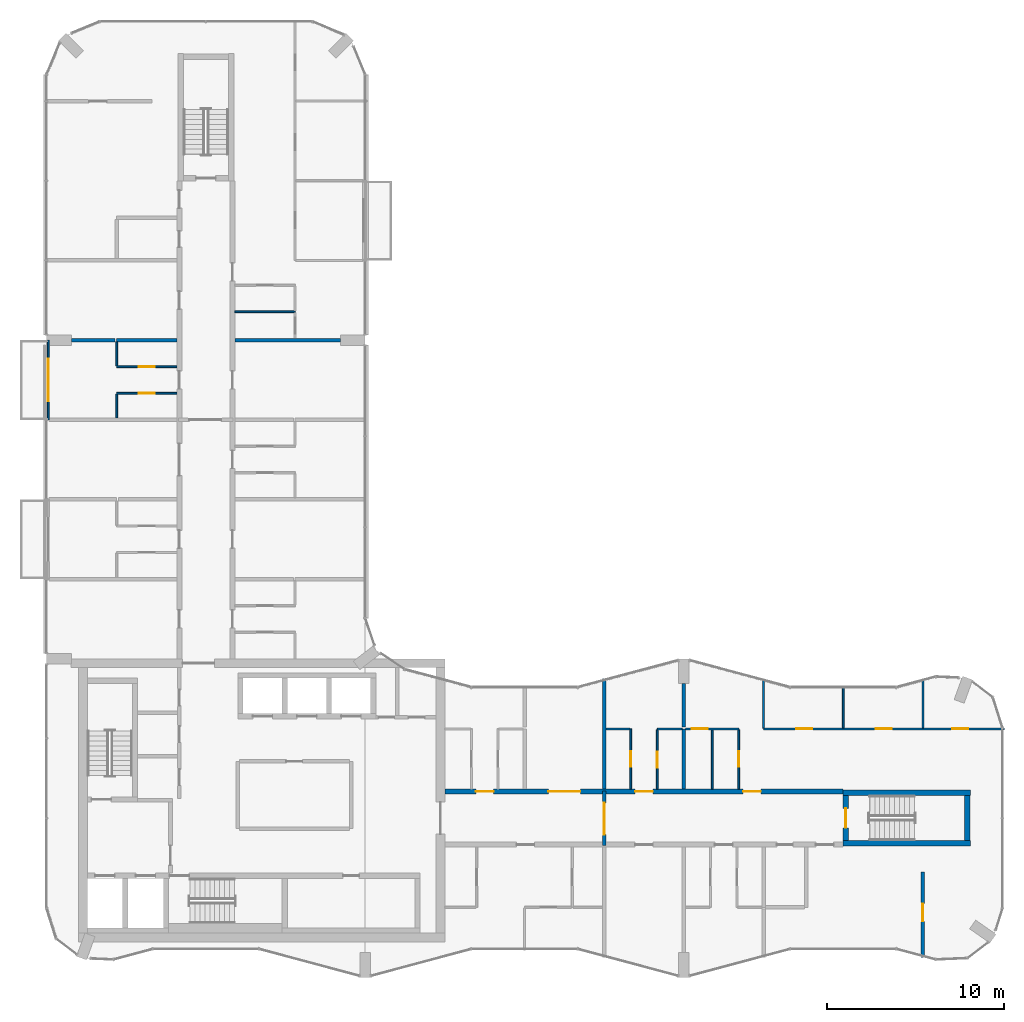
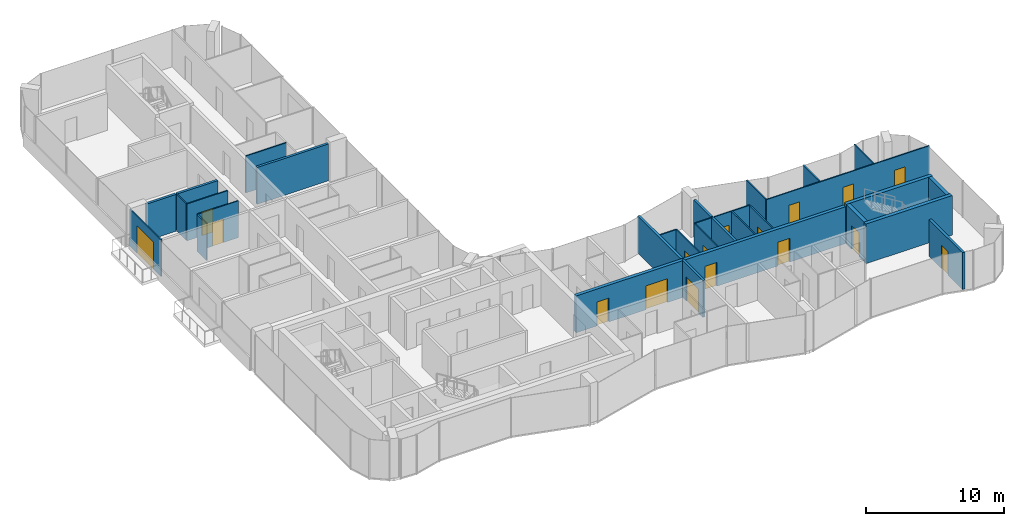
# One storey, part 12 of 16: 30 walls, 17 doors, 17 openings.
"""IFC4 building model written with IfcOpenShell, lengths in metres."""

from ifc_helpers import new_model, si_unit, direction, frame, frame_2d, origin, place, context, subcontext, project, spatial, rectangle, extrude, material, layer, layer_set, type_object, element, fill, save


model = new_model("IFC4")

# Units and contexts
model_context = context("Model", 3, precision=1e-05, world=origin(), true_north=direction((0.0, 1.0)))
body_context = subcontext(model_context, "Body", "Model", "MODEL_VIEW")
ifc_project = project(units=[si_unit("LENGTHUNIT", "METRE"), si_unit("AREAUNIT", "SQUARE_METRE"), si_unit("VOLUMEUNIT", "CUBIC_METRE"), si_unit("PLANEANGLEUNIT", "RADIAN"), si_unit("MASSUNIT", "GRAM", prefix="KILO")], contexts=[model_context])

# Site, building, storey
site_placement = place(None, origin())
site = spatial("IfcSite", under=ifc_project, at=site_placement, CompositionType="ELEMENT")
building_placement = place(site_placement, origin())
building = spatial("IfcBuilding", under=site, at=building_placement, Name="Plateau Cross Towers", CompositionType="ELEMENT")
storey_placement = place(building_placement, frame((0.0, 0.0, 215.39990234375)))
storey = spatial("IfcBuildingStorey", under=building, at=storey_placement, Name="L56", CompositionType="ELEMENT", Elevation=215.39990234375)

# Wall, opening, door
ifc_material_1 = material(Name="Aluminium framed glazing", Category="aluminium")
ifc_layer_1 = layer(ifc_material_1, 0.10009765625)
ifc_layer_set_1 = layer_set([ifc_layer_1], Name="Aluminium framed glazing")
wall_type_1 = type_object("IfcWallType", Name="Balcony screen wall 100", PredefinedType="STANDARD", material=ifc_layer_set_1)
wall_1_placement = place(storey_placement, frame((0.10009765625, 31.5, 0.0), z_axis=(0.0, 0.0, 1.0), x_axis=(0.0, 1.0, 0.0)))
wall_1 = element("IfcWall", 1, at=wall_1_placement, inside=storey, type_object=wall_type_1, Name="Balcony screen wall A-BAL-L56-02", PredefinedType="STANDARD", context=body_context, shape_type="SweptSolid", body=[
    extrude(rectangle(XDim=4.5, YDim=0.10009765625, at=frame_2d((2.25, 0.0))), origin(), (0.0, 0.0, 1.0), 3.25),
])
opening_1_placement = place(wall_1_placement, frame((1.050048828125, 0.0, 0.0)))
opening_1 = element("IfcOpeningElement", 2, at=opening_1_placement, cuts=wall_1, Name="Opening D-B24", PredefinedType="OPENING", context=body_context, shape_type="SweptSolid", body=[
    extrude(rectangle(XDim=2.39990234375, YDim=2.39990234375, at=frame_2d((1.199951171875, 1.199951171875))), frame((0.0, 0.06005859375, 0.0), z_axis=(0.0, -1.0, 0.0), x_axis=(1.0, 0.0, 0.0)), (0.0, 0.0, 1.0), 0.1201171875),
])
ifc_material_2 = material(Name="Aluminium frame, double glazing", Category="aluminium")
door_type_1 = type_object("IfcDoorType", Name="Balcony sliding door 2400", OperationType="NOTDEFINED", PredefinedType="DOOR", material=ifc_material_2)
door_1_placement = place(opening_1_placement, origin())
door_1 = element("IfcDoor", 3, at=door_1_placement, inside=storey, type_object=door_type_1, Name="Balcony door A-BAL-L56-02", OperationType="SINGLE_SWING_LEFT", OverallHeight=2.39990234375, OverallWidth=2.39990234375, PredefinedType="DOOR", context=body_context, shape_type="SweptSolid", body=[
    extrude(rectangle(XDim=2.39990234375, YDim=2.39990234375, at=frame_2d((1.199951171875, 1.199951171875))), frame((0.0, 0.02490234375, 0.0), z_axis=(0.0, -1.0, 0.0), x_axis=(1.0, 0.0, 0.0)), (0.0, 0.0, 1.0), 0.050048828125),
])
fill(opening_1, door_1)

# Wall, openings, doors
ifc_material_3 = material(Name="Concrete C60/75", Category="concrete")
ifc_layer_2 = layer(ifc_material_3, 0.27490234375)
ifc_layer_set_2 = layer_set([ifc_layer_2], Name="Concrete C60/75")
wall_type_2 = type_object("IfcWallType", Name="Corridor wall 275", PredefinedType="SHEAR", material=ifc_layer_set_2)
wall_2_placement = place(storey_placement, frame((22.5, 10.5, 0.0), z_axis=(0.0, 0.0, 1.0), x_axis=(1.0, 0.0, 0.0)))
wall_2 = element("IfcWall", 4, at=wall_2_placement, inside=storey, type_object=wall_type_2, Name="A-cw-S2@L56", PredefinedType="SHEAR", context=body_context, shape_type="SweptSolid", body=[
    extrude(rectangle(XDim=22.5, YDim=0.27490234375, at=frame_2d((11.25, 0.0))), origin(), (0.0, 0.0, 1.0), 3.25),
])
opening_2_placement = place(wall_2_placement, frame((1.75, 0.0, 0.0)))
opening_2 = element("IfcOpeningElement", 5, at=opening_2_placement, cuts=wall_2, Name="Opening 56-06", PredefinedType="OPENING", context=body_context, shape_type="SweptSolid", body=[
    extrude(rectangle(XDim=1.0, YDim=2.10009765625, at=frame_2d((0.5, 1.050048828125))), frame((0.0, 0.1474609375, 0.0), z_axis=(0.0, -1.0, 0.0), x_axis=(1.0, 0.0, 0.0)), (0.0, 0.0, 1.0), 0.294921875),
])
opening_3_placement = place(wall_2_placement, frame((5.85009765625, 0.0, 0.0)))
opening_3 = element("IfcOpeningElement", 6, at=opening_3_placement, cuts=wall_2, Name="Opening 56-07", PredefinedType="OPENING", context=body_context, shape_type="SweptSolid", body=[
    extrude(rectangle(XDim=1.800048828125, YDim=2.10009765625, at=frame_2d((0.89990234375, 1.050048828125))), frame((0.0, 0.1474609375, 0.0), z_axis=(0.0, -1.0, 0.0), x_axis=(1.0, 0.0, 0.0)), (0.0, 0.0, 1.0), 0.294921875),
])
opening_4_placement = place(wall_2_placement, frame((10.75, 0.0, 0.0)))
opening_4 = element("IfcOpeningElement", 7, at=opening_4_placement, cuts=wall_2, Name="Opening 56-08", PredefinedType="OPENING", context=body_context, shape_type="SweptSolid", body=[
    extrude(rectangle(XDim=1.0, YDim=2.10009765625, at=frame_2d((0.5, 1.050048828125))), frame((0.0, 0.1474609375, 0.0), z_axis=(0.0, -1.0, 0.0), x_axis=(1.0, 0.0, 0.0)), (0.0, 0.0, 1.0), 0.294921875),
])
opening_5_placement = place(wall_2_placement, frame((16.85009765625, 0.0, 0.0)))
opening_5 = element("IfcOpeningElement", 8, at=opening_5_placement, cuts=wall_2, Name="Opening 56-09", PredefinedType="OPENING", context=body_context, shape_type="SweptSolid", body=[
    extrude(rectangle(XDim=1.0, YDim=2.10009765625, at=frame_2d((0.5, 1.050048828125))), frame((0.0, 0.1474609375, 0.0), z_axis=(0.0, -1.0, 0.0), x_axis=(1.0, 0.0, 0.0)), (0.0, 0.0, 1.0), 0.294921875),
])
ifc_material_4 = material(Name="Timber, fire-resisting leaf", Category="wood")
door_type_2 = type_object("IfcDoorType", Name="Flat entrance door 1000", OperationType="NOTDEFINED", PredefinedType="DOOR", material=ifc_material_4)
door_2_placement = place(opening_2_placement, origin())
door_2 = element("IfcDoor", 9, at=door_2_placement, inside=storey, type_object=door_type_2, Name="Door 56-06", OperationType="SINGLE_SWING_LEFT", OverallHeight=2.10009765625, OverallWidth=1.0, PredefinedType="DOOR", context=body_context, shape_type="SweptSolid", body=[
    extrude(rectangle(XDim=1.0, YDim=2.10009765625, at=frame_2d((0.5, 1.050048828125))), frame((0.0, 0.02490234375, 0.0), z_axis=(0.0, -1.0, 0.0), x_axis=(1.0, 0.0, 0.0)), (0.0, 0.0, 1.0), 0.050048828125),
])
fill(opening_2, door_2)
door_3_placement = place(opening_4_placement, origin())
door_3 = element("IfcDoor", 10, at=door_3_placement, inside=storey, type_object=door_type_2, Name="Door 56-08", OperationType="SINGLE_SWING_LEFT", OverallHeight=2.10009765625, OverallWidth=1.0, PredefinedType="DOOR", context=body_context, shape_type="SweptSolid", body=[
    extrude(rectangle(XDim=1.0, YDim=2.10009765625, at=frame_2d((0.5, 1.050048828125))), frame((0.0, 0.02490234375, 0.0), z_axis=(0.0, -1.0, 0.0), x_axis=(1.0, 0.0, 0.0)), (0.0, 0.0, 1.0), 0.050048828125),
])
fill(opening_4, door_3)
door_4_placement = place(opening_5_placement, origin())
door_4 = element("IfcDoor", 11, at=door_4_placement, inside=storey, type_object=door_type_2, Name="Door 56-09", OperationType="SINGLE_SWING_RIGHT", OverallHeight=2.10009765625, OverallWidth=1.0, PredefinedType="DOOR", context=body_context, shape_type="SweptSolid", body=[
    extrude(rectangle(XDim=1.0, YDim=2.10009765625, at=frame_2d((0.5, 1.050048828125))), frame((0.0, 0.02490234375, 0.0), z_axis=(0.0, -1.0, 0.0), x_axis=(1.0, 0.0, 0.0)), (0.0, 0.0, 1.0), 0.050048828125),
])
fill(opening_5, door_4)
ifc_material_5 = material(Name="Timber, fire-resisting leaves", Category="wood")
door_type_3 = type_object("IfcDoorType", Name="Flat floor fire door pair 1800", OperationType="NOTDEFINED", PredefinedType="DOOR", material=ifc_material_5)
door_5_placement = place(opening_3_placement, origin())
door_5 = element("IfcDoor", 12, at=door_5_placement, inside=storey, type_object=door_type_3, Name="Door 56-07", OperationType="SINGLE_SWING_LEFT", OverallHeight=2.10009765625, OverallWidth=1.800048828125, PredefinedType="DOOR", context=body_context, shape_type="SweptSolid", body=[
    extrude(rectangle(XDim=1.800048828125, YDim=2.10009765625, at=frame_2d((0.89990234375, 1.050048828125))), frame((0.0, 0.02490234375, 0.0), z_axis=(0.0, -1.0, 0.0), x_axis=(1.0, 0.0, 0.0)), (0.0, 0.0, 1.0), 0.050048828125),
])
fill(opening_3, door_5)

# Walls
ifc_material_6 = material(Name="Gypsum board on steel studs", Category="steel")
ifc_layer_3 = layer(ifc_material_6, 0.10009765625)
ifc_layer_set_3 = layer_set([ifc_layer_3], Name="Gypsum board on steel studs")
wall_type_3 = type_object("IfcWallType", Name="Flat partition 100", PredefinedType="PARTITIONING", material=ifc_layer_set_3)
wall_3_placement = place(storey_placement, frame((32.949951171875, 14.03759765625, 0.0), z_axis=(0.0, 0.0, 1.0), x_axis=(-1.0, 0.0, 0.0)))
element("IfcWall", 13, at=wall_3_placement, inside=storey, type_object=wall_type_3, Name="Partition wall", PredefinedType="PARTITIONING", context=body_context, shape_type="SweptSolid", body=[
    extrude(rectangle(XDim=1.349853515625, YDim=0.10009765625, at=frame_2d((0.6748046875, 0.0))), origin(), (0.0, 0.0, 1.0), 3.25),
])
wall_4_placement = place(storey_placement, frame((35.89990234375, 14.03759765625, 0.0), z_axis=(0.0, 0.0, 1.0), x_axis=(-1.0, 0.0, 0.0)))
element("IfcWall", 14, at=wall_4_placement, inside=storey, type_object=wall_type_3, Name="Partition wall", PredefinedType="PARTITIONING", context=body_context, shape_type="SweptSolid", body=[
    extrude(rectangle(XDim=1.39990234375, YDim=0.10009765625, at=frame_2d((0.699951171875, 0.0))), origin(), (0.0, 0.0, 1.0), 3.25),
])

# Wall, opening, door
wall_5_placement = place(storey_placement, frame((39.10009765625, 14.03759765625, 0.0), z_axis=(0.0, 0.0, 1.0), x_axis=(-1.0, 0.0, 0.0)))
wall_5 = element("IfcWall", 15, at=wall_5_placement, inside=storey, type_object=wall_type_3, Name="Partition wall", PredefinedType="PARTITIONING", context=body_context, shape_type="SweptSolid", body=[
    extrude(rectangle(XDim=3.0, YDim=0.10009765625, at=frame_2d((1.5, 0.0))), origin(), (0.0, 0.0, 1.0), 3.25),
])
opening_6_placement = place(wall_5_placement, frame((1.75, 0.0, 0.0)))
opening_6 = element("IfcOpeningElement", 16, at=opening_6_placement, cuts=wall_5, Name="Opening 56-35", PredefinedType="OPENING", context=body_context, shape_type="SweptSolid", body=[
    extrude(rectangle(XDim=0.89990234375, YDim=2.10009765625, at=frame_2d((0.449951171875, 1.050048828125))), frame((0.0, 0.06005859375, 0.0), z_axis=(0.0, -1.0, 0.0), x_axis=(1.0, 0.0, 0.0)), (0.0, 0.0, 1.0), 0.1201171875),
])
ifc_material_7 = material(Name="Timber leaf", Category="wood")
door_type_4 = type_object("IfcDoorType", Name="Flat room door 900", OperationType="NOTDEFINED", PredefinedType="DOOR", material=ifc_material_7)
door_6_placement = place(opening_6_placement, origin())
door_6 = element("IfcDoor", 17, at=door_6_placement, inside=storey, type_object=door_type_4, Name="Door 56-35", OperationType="SINGLE_SWING_RIGHT", OverallHeight=2.10009765625, OverallWidth=0.89990234375, PredefinedType="DOOR", context=body_context, shape_type="SweptSolid", body=[
    extrude(rectangle(XDim=0.89990234375, YDim=2.10009765625, at=frame_2d((0.449951171875, 1.050048828125))), frame((0.0, 0.02490234375, 0.0), z_axis=(0.0, -1.0, 0.0), x_axis=(1.0, 0.0, 0.0)), (0.0, 0.0, 1.0), 0.050048828125),
])
fill(opening_6, door_6)

# Wall, openings, doors
wall_6_placement = place(storey_placement, frame((40.5, 14.03759765625, 0.0), z_axis=(0.0, 0.0, 1.0), x_axis=(1.0, 0.0, 0.0)))
wall_6 = element("IfcWall", 18, at=wall_6_placement, inside=storey, type_object=wall_type_3, Name="Partition wall", PredefinedType="PARTITIONING", context=body_context, shape_type="SweptSolid", body=[
    extrude(rectangle(XDim=13.580078125, YDim=0.10009765625, at=frame_2d((6.7900390625, 0.0))), origin(), (0.0, 0.0, 1.0), 3.25),
])
opening_7_placement = place(wall_6_placement, frame((1.85009765625, 0.0, 0.0)))
opening_7 = element("IfcOpeningElement", 19, at=opening_7_placement, cuts=wall_6, Name="Opening 56-37", PredefinedType="OPENING", context=body_context, shape_type="SweptSolid", body=[
    extrude(rectangle(XDim=0.89990234375, YDim=2.10009765625, at=frame_2d((0.449951171875, 1.050048828125))), frame((0.0, 0.06005859375, 0.0), z_axis=(0.0, -1.0, 0.0), x_axis=(1.0, 0.0, 0.0)), (0.0, 0.0, 1.0), 0.1201171875),
])
opening_8_placement = place(wall_6_placement, frame((6.35009765625, 0.0, 0.0)))
opening_8 = element("IfcOpeningElement", 20, at=opening_8_placement, cuts=wall_6, Name="Opening 56-38", PredefinedType="OPENING", context=body_context, shape_type="SweptSolid", body=[
    extrude(rectangle(XDim=0.89990234375, YDim=2.10009765625, at=frame_2d((0.449951171875, 1.050048828125))), frame((0.0, 0.06005859375, 0.0), z_axis=(0.0, -1.0, 0.0), x_axis=(1.0, 0.0, 0.0)), (0.0, 0.0, 1.0), 0.1201171875),
])
opening_9_placement = place(wall_6_placement, frame((10.64990234375, 0.0, 0.0)))
opening_9 = element("IfcOpeningElement", 21, at=opening_9_placement, cuts=wall_6, Name="Opening 56-39", PredefinedType="OPENING", context=body_context, shape_type="SweptSolid", body=[
    extrude(rectangle(XDim=0.89990234375, YDim=2.10009765625, at=frame_2d((0.449951171875, 1.050048828125))), frame((0.0, 0.06005859375, 0.0), z_axis=(0.0, -1.0, 0.0), x_axis=(1.0, 0.0, 0.0)), (0.0, 0.0, 1.0), 0.1201171875),
])
door_7_placement = place(opening_7_placement, origin())
door_7 = element("IfcDoor", 22, at=door_7_placement, inside=storey, type_object=door_type_4, Name="Door 56-37", OperationType="SINGLE_SWING_LEFT", OverallHeight=2.10009765625, OverallWidth=0.89990234375, PredefinedType="DOOR", context=body_context, shape_type="SweptSolid", body=[
    extrude(rectangle(XDim=0.89990234375, YDim=2.10009765625, at=frame_2d((0.449951171875, 1.050048828125))), frame((0.0, 0.02490234375, 0.0), z_axis=(0.0, -1.0, 0.0), x_axis=(1.0, 0.0, 0.0)), (0.0, 0.0, 1.0), 0.050048828125),
])
fill(opening_7, door_7)
door_8_placement = place(opening_8_placement, origin())
door_8 = element("IfcDoor", 23, at=door_8_placement, inside=storey, type_object=door_type_4, Name="Door 56-38", OperationType="SINGLE_SWING_RIGHT", OverallHeight=2.10009765625, OverallWidth=0.89990234375, PredefinedType="DOOR", context=body_context, shape_type="SweptSolid", body=[
    extrude(rectangle(XDim=0.89990234375, YDim=2.10009765625, at=frame_2d((0.449951171875, 1.050048828125))), frame((0.0, 0.02490234375, 0.0), z_axis=(0.0, -1.0, 0.0), x_axis=(1.0, 0.0, 0.0)), (0.0, 0.0, 1.0), 0.050048828125),
])
fill(opening_8, door_8)
door_9_placement = place(opening_9_placement, origin())
door_9 = element("IfcDoor", 24, at=door_9_placement, inside=storey, type_object=door_type_4, Name="Door 56-39", OperationType="SINGLE_SWING_RIGHT", OverallHeight=2.10009765625, OverallWidth=0.89990234375, PredefinedType="DOOR", context=body_context, shape_type="SweptSolid", body=[
    extrude(rectangle(XDim=0.89990234375, YDim=2.10009765625, at=frame_2d((0.449951171875, 1.050048828125))), frame((0.0, 0.02490234375, 0.0), z_axis=(0.0, -1.0, 0.0), x_axis=(1.0, 0.0, 0.0)), (0.0, 0.0, 1.0), 0.050048828125),
])
fill(opening_9, door_9)

# Wall, opening, door
wall_7_placement = place(storey_placement, frame((7.362548828125, 33.0, 0.0), z_axis=(0.0, 0.0, 1.0), x_axis=(-1.0, 0.0, 0.0)))
wall_7 = element("IfcWall", 25, at=wall_7_placement, inside=storey, type_object=wall_type_3, Name="Partition wall", PredefinedType="PARTITIONING", context=body_context, shape_type="SweptSolid", body=[
    extrude(rectangle(XDim=3.400146484375, YDim=0.10009765625, at=frame_2d((1.7001953125, 0.0))), origin(), (0.0, 0.0, 1.0), 3.25),
])
opening_10_placement = place(wall_7_placement, frame((1.25, 0.0, 0.0)))
opening_10 = element("IfcOpeningElement", 26, at=opening_10_placement, cuts=wall_7, Name="Opening 56-42", PredefinedType="OPENING", context=body_context, shape_type="SweptSolid", body=[
    extrude(rectangle(XDim=0.89990234375, YDim=2.10009765625, at=frame_2d((0.449951171875, 1.050048828125))), frame((0.0, 0.06005859375, 0.0), z_axis=(0.0, -1.0, 0.0), x_axis=(1.0, 0.0, 0.0)), (0.0, 0.0, 1.0), 0.1201171875),
])
door_10_placement = place(opening_10_placement, origin())
door_10 = element("IfcDoor", 27, at=door_10_placement, inside=storey, type_object=door_type_4, Name="Door 56-42", OperationType="SINGLE_SWING_LEFT", OverallHeight=2.10009765625, OverallWidth=0.89990234375, PredefinedType="DOOR", context=body_context, shape_type="SweptSolid", body=[
    extrude(rectangle(XDim=0.89990234375, YDim=2.10009765625, at=frame_2d((0.449951171875, 1.050048828125))), frame((0.0, 0.02490234375, 0.0), z_axis=(0.0, -1.0, 0.0), x_axis=(1.0, 0.0, 0.0)), (0.0, 0.0, 1.0), 0.050048828125),
])
fill(opening_10, door_10)

wall_8_placement = place(storey_placement, frame((3.96240234375, 34.5, 0.0), z_axis=(0.0, 0.0, 1.0), x_axis=(1.0, 0.0, 0.0)))
wall_8 = element("IfcWall", 28, at=wall_8_placement, inside=storey, type_object=wall_type_3, Name="Partition wall", PredefinedType="PARTITIONING", context=body_context, shape_type="SweptSolid", body=[
    extrude(rectangle(XDim=3.400146484375, YDim=0.10009765625, at=frame_2d((1.7001953125, 0.0))), origin(), (0.0, 0.0, 1.0), 3.25),
])
opening_11_placement = place(wall_8_placement, frame((1.25, 0.0, 0.0)))
opening_11 = element("IfcOpeningElement", 29, at=opening_11_placement, cuts=wall_8, Name="Opening 56-43", PredefinedType="OPENING", context=body_context, shape_type="SweptSolid", body=[
    extrude(rectangle(XDim=0.89990234375, YDim=2.10009765625, at=frame_2d((0.449951171875, 1.050048828125))), frame((0.0, 0.06005859375, 0.0), z_axis=(0.0, -1.0, 0.0), x_axis=(1.0, 0.0, 0.0)), (0.0, 0.0, 1.0), 0.1201171875),
])
door_11_placement = place(opening_11_placement, origin())
door_11 = element("IfcDoor", 30, at=door_11_placement, inside=storey, type_object=door_type_4, Name="Door 56-43", OperationType="SINGLE_SWING_LEFT", OverallHeight=2.10009765625, OverallWidth=0.89990234375, PredefinedType="DOOR", context=body_context, shape_type="SweptSolid", body=[
    extrude(rectangle(XDim=0.89990234375, YDim=2.10009765625, at=frame_2d((0.449951171875, 1.050048828125))), frame((0.0, 0.02490234375, 0.0), z_axis=(0.0, -1.0, 0.0), x_axis=(1.0, 0.0, 0.0)), (0.0, 0.0, 1.0), 0.050048828125),
])
fill(opening_11, door_11)

# Walls
wall_9_placement = place(storey_placement, frame((14.03759765625, 37.60009765625, 0.0), z_axis=(0.0, 0.0, 1.0), x_axis=(-1.0, 0.0, 0.0)))
element("IfcWall", 31, at=wall_9_placement, inside=storey, type_object=wall_type_3, Name="Partition wall", PredefinedType="PARTITIONING", context=body_context, shape_type="SweptSolid", body=[
    extrude(rectangle(XDim=3.400146484375, YDim=0.10009765625, at=frame_2d((1.7001953125, 0.0))), origin(), (0.0, 0.0, 1.0), 3.25),
])
for number, where, z_axis, x_axis, name in (
    (32, (3.96240234375, 32.949951171875, 0.0), (0.0, 0.0, 1.0), (0.0, -1.0, 0.0), "Partition wall"),
    (33, (3.96240234375, 35.89990234375, 0.0), (0.0, 0.0, 1.0), (0.0, -1.0, 0.0), "Partition wall"),
):
    element("IfcWall", number, at=place(storey_placement, frame(where, z_axis=z_axis, x_axis=x_axis)), inside=storey, type_object=wall_type_3, Name=name, PredefinedType="PARTITIONING", context=body_context, shape_type="SweptSolid", body=[
        extrude(rectangle(XDim=1.349853515625, YDim=0.10009765625, at=frame_2d((0.6748046875, 0.0))), origin(), (0.0, 0.0, 1.0), 3.25),
    ])

# Wall, opening, door
wall_10_placement = place(storey_placement, frame((33.0, 10.637451171875, 0.0), z_axis=(0.0, 0.0, 1.0), x_axis=(0.0, 1.0, 0.0)))
wall_10 = element("IfcWall", 34, at=wall_10_placement, inside=storey, type_object=wall_type_3, Name="Partition wall", PredefinedType="PARTITIONING", context=body_context, shape_type="SweptSolid", body=[
    extrude(rectangle(XDim=3.400146484375, YDim=0.10009765625, at=frame_2d((1.7001953125, 0.0))), origin(), (0.0, 0.0, 1.0), 3.25),
])
opening_12_placement = place(wall_10_placement, frame((1.25, 0.0, 0.0)))
opening_12 = element("IfcOpeningElement", 35, at=opening_12_placement, cuts=wall_10, Name="Opening 56-33", PredefinedType="OPENING", context=body_context, shape_type="SweptSolid", body=[
    extrude(rectangle(XDim=0.89990234375, YDim=2.10009765625, at=frame_2d((0.449951171875, 1.050048828125))), frame((0.0, 0.06005859375, 0.0), z_axis=(0.0, -1.0, 0.0), x_axis=(1.0, 0.0, 0.0)), (0.0, 0.0, 1.0), 0.1201171875),
])
door_12_placement = place(opening_12_placement, origin())
door_12 = element("IfcDoor", 36, at=door_12_placement, inside=storey, type_object=door_type_4, Name="Door 56-33", OperationType="SINGLE_SWING_LEFT", OverallHeight=2.10009765625, OverallWidth=0.89990234375, PredefinedType="DOOR", context=body_context, shape_type="SweptSolid", body=[
    extrude(rectangle(XDim=0.89990234375, YDim=2.10009765625, at=frame_2d((0.449951171875, 1.050048828125))), frame((0.0, 0.02490234375, 0.0), z_axis=(0.0, -1.0, 0.0), x_axis=(1.0, 0.0, 0.0)), (0.0, 0.0, 1.0), 0.050048828125),
])
fill(opening_12, door_12)

wall_11_placement = place(storey_placement, frame((34.5, 13.987548828125, 0.0), z_axis=(0.0, 0.0, 1.0), x_axis=(0.0, -1.0, 0.0)))
wall_11 = element("IfcWall", 37, at=wall_11_placement, inside=storey, type_object=wall_type_3, Name="Partition wall", PredefinedType="PARTITIONING", context=body_context, shape_type="SweptSolid", body=[
    extrude(rectangle(XDim=3.35009765625, YDim=0.10009765625, at=frame_2d((1.675048828125, 0.0))), origin(), (0.0, 0.0, 1.0), 3.25),
])
opening_13_placement = place(wall_11_placement, frame((1.25, 0.0, 0.0)))
opening_13 = element("IfcOpeningElement", 38, at=opening_13_placement, cuts=wall_11, Name="Opening 56-34", PredefinedType="OPENING", context=body_context, shape_type="SweptSolid", body=[
    extrude(rectangle(XDim=0.89990234375, YDim=2.10009765625, at=frame_2d((0.449951171875, 1.050048828125))), frame((0.0, 0.06005859375, 0.0), z_axis=(0.0, -1.0, 0.0), x_axis=(1.0, 0.0, 0.0)), (0.0, 0.0, 1.0), 0.1201171875),
])
door_13_placement = place(opening_13_placement, origin())
door_13 = element("IfcDoor", 39, at=door_13_placement, inside=storey, type_object=door_type_4, Name="Door 56-34", OperationType="SINGLE_SWING_RIGHT", OverallHeight=2.10009765625, OverallWidth=0.89990234375, PredefinedType="DOOR", context=body_context, shape_type="SweptSolid", body=[
    extrude(rectangle(XDim=0.89990234375, YDim=2.10009765625, at=frame_2d((0.449951171875, 1.050048828125))), frame((0.0, 0.02490234375, 0.0), z_axis=(0.0, -1.0, 0.0), x_axis=(1.0, 0.0, 0.0)), (0.0, 0.0, 1.0), 0.050048828125),
])
fill(opening_13, door_13)

# Wall
wall_12_placement = place(storey_placement, frame((37.60009765625, 10.637451171875, 0.0), z_axis=(0.0, 0.0, 1.0), x_axis=(0.0, 1.0, 0.0)))
element("IfcWall", 40, at=wall_12_placement, inside=storey, type_object=wall_type_3, Name="Partition wall", PredefinedType="PARTITIONING", context=body_context, shape_type="SweptSolid", body=[
    extrude(rectangle(XDim=3.35009765625, YDim=0.10009765625, at=frame_2d((1.675048828125, 0.0))), origin(), (0.0, 0.0, 1.0), 3.25),
])

# Wall, opening, door
wall_13_placement = place(storey_placement, frame((39.10009765625, 10.637451171875, 0.0), z_axis=(0.0, 0.0, 1.0), x_axis=(0.0, 1.0, 0.0)))
wall_13 = element("IfcWall", 41, at=wall_13_placement, inside=storey, type_object=wall_type_3, Name="Partition wall", PredefinedType="PARTITIONING", context=body_context, shape_type="SweptSolid", body=[
    extrude(rectangle(XDim=3.35009765625, YDim=0.10009765625, at=frame_2d((1.675048828125, 0.0))), origin(), (0.0, 0.0, 1.0), 3.25),
])
opening_14_placement = place(wall_13_placement, frame((1.25, 0.0, 0.0)))
opening_14 = element("IfcOpeningElement", 42, at=opening_14_placement, cuts=wall_13, Name="Opening 56-36", PredefinedType="OPENING", context=body_context, shape_type="SweptSolid", body=[
    extrude(rectangle(XDim=0.89990234375, YDim=2.10009765625, at=frame_2d((0.449951171875, 1.050048828125))), frame((0.0, 0.06005859375, 0.0), z_axis=(0.0, -1.0, 0.0), x_axis=(1.0, 0.0, 0.0)), (0.0, 0.0, 1.0), 0.1201171875),
])
door_14_placement = place(opening_14_placement, origin())
door_14 = element("IfcDoor", 43, at=door_14_placement, inside=storey, type_object=door_type_4, Name="Door 56-36", OperationType="SINGLE_SWING_RIGHT", OverallHeight=2.10009765625, OverallWidth=0.89990234375, PredefinedType="DOOR", context=body_context, shape_type="SweptSolid", body=[
    extrude(rectangle(XDim=0.89990234375, YDim=2.10009765625, at=frame_2d((0.449951171875, 1.050048828125))), frame((0.0, 0.02490234375, 0.0), z_axis=(0.0, -1.0, 0.0), x_axis=(1.0, 0.0, 0.0)), (0.0, 0.0, 1.0), 0.050048828125),
])
fill(opening_14, door_14)

# Walls
wall_14_placement = place(storey_placement, frame((40.5, 16.877685546875, 0.0), z_axis=(0.0, 0.0, 1.0), x_axis=(0.0, -1.0, 0.0)))
element("IfcWall", 44, at=wall_14_placement, inside=storey, type_object=wall_type_3, Name="Partition wall", PredefinedType="PARTITIONING", context=body_context, shape_type="SweptSolid", body=[
    extrude(rectangle(XDim=2.790283203125, YDim=0.10009765625, at=frame_2d((1.39501953125, 0.0))), origin(), (0.0, 0.0, 1.0), 3.25),
])
wall_15_placement = place(storey_placement, frame((45.0, 14.08740234375, 0.0), z_axis=(0.0, 0.0, 1.0), x_axis=(0.0, 1.0, 0.0)))
element("IfcWall", 45, at=wall_15_placement, inside=storey, type_object=wall_type_3, Name="Partition wall", PredefinedType="PARTITIONING", context=body_context, shape_type="SweptSolid", body=[
    extrude(rectangle(XDim=2.3857421875, YDim=0.10009765625, at=frame_2d((1.19287109375, 0.0))), origin(), (0.0, 0.0, 1.0), 3.25),
])
wall_16_placement = place(storey_placement, frame((49.5, 14.08740234375, 0.0), z_axis=(0.0, 0.0, 1.0), x_axis=(0.0, 1.0, 0.0)))
element("IfcWall", 46, at=wall_16_placement, inside=storey, type_object=wall_type_3, Name="Partition wall", PredefinedType="PARTITIONING", context=body_context, shape_type="SweptSolid", body=[
    extrude(rectangle(XDim=2.790283203125, YDim=0.10009765625, at=frame_2d((1.39501953125, 0.0))), origin(), (0.0, 0.0, 1.0), 3.25),
])
ifc_material_8 = material(Name="Gypsum board on steel studs, two layers each side", Category="steel")
ifc_layer_4 = layer(ifc_material_8, 0.199951171875)
ifc_layer_set_4 = layer_set([ifc_layer_4], Name="Gypsum board on steel studs, two layers each side")
wall_type_4 = type_object("IfcWallType", Name="Flat party wall 200", PredefinedType="PARTITIONING", material=ifc_layer_set_4)
wall_17_placement = place(storey_placement, frame((7.362548828125, 36.0, 0.0), z_axis=(0.0, 0.0, 1.0), x_axis=(-1.0, 0.0, 0.0)))
element("IfcWall", 47, at=wall_17_placement, inside=storey, type_object=wall_type_4, Name="Party wall", PredefinedType="PARTITIONING", context=body_context, shape_type="SweptSolid", body=[
    extrude(rectangle(XDim=3.400146484375, YDim=0.199951171875, at=frame_2d((1.7001953125, 0.0))), origin(), (0.0, 0.0, 1.0), 3.25),
])
wall_18_placement = place(storey_placement, frame((16.60009765625, 36.0, 0.0), z_axis=(0.0, 0.0, 1.0), x_axis=(-1.0, 0.0, 0.0)))
element("IfcWall", 48, at=wall_18_placement, inside=storey, type_object=wall_type_4, Name="Party wall", PredefinedType="PARTITIONING", context=body_context, shape_type="SweptSolid", body=[
    extrude(rectangle(XDim=5.962646484375, YDim=0.199951171875, at=frame_2d((2.9814453125, 0.0))), origin(), (0.0, 0.0, 1.0), 3.25),
])
wall_19_placement = place(storey_placement, frame((1.39990234375, 36.0, 0.0), z_axis=(0.0, 0.0, 1.0), x_axis=(1.0, 0.0, 0.0)))
element("IfcWall", 49, at=wall_19_placement, inside=storey, type_object=wall_type_4, Name="Party wall", PredefinedType="PARTITIONING", context=body_context, shape_type="SweptSolid", body=[
    extrude(rectangle(XDim=2.462646484375, YDim=0.199951171875, at=frame_2d((1.2314453125, 0.0))), origin(), (0.0, 0.0, 1.0), 3.25),
])
wall_20_placement = place(storey_placement, frame((31.5, 10.637451171875, 0.0), z_axis=(0.0, 0.0, 1.0), x_axis=(0.0, 1.0, 0.0)))
element("IfcWall", 50, at=wall_20_placement, inside=storey, type_object=wall_type_4, Name="Party wall", PredefinedType="PARTITIONING", context=body_context, shape_type="SweptSolid", body=[
    extrude(rectangle(XDim=6.240234375, YDim=0.199951171875, at=frame_2d((3.1201171875, 0.0))), origin(), (0.0, 0.0, 1.0), 3.25),
])
wall_21_placement = place(storey_placement, frame((36.0, 16.60009765625, 0.0), z_axis=(0.0, 0.0, 1.0), x_axis=(0.0, -1.0, 0.0)))
element("IfcWall", 51, at=wall_21_placement, inside=storey, type_object=wall_type_4, Name="Party wall", PredefinedType="PARTITIONING", context=body_context, shape_type="SweptSolid", body=[
    extrude(rectangle(XDim=2.462646484375, YDim=0.199951171875, at=frame_2d((1.2314453125, 0.0))), origin(), (0.0, 0.0, 1.0), 3.25),
])
wall_22_placement = place(storey_placement, frame((36.0, 10.637451171875, 0.0), z_axis=(0.0, 0.0, 1.0), x_axis=(0.0, 1.0, 0.0)))
element("IfcWall", 52, at=wall_22_placement, inside=storey, type_object=wall_type_4, Name="Party wall", PredefinedType="PARTITIONING", context=body_context, shape_type="SweptSolid", body=[
    extrude(rectangle(XDim=3.400146484375, YDim=0.199951171875, at=frame_2d((1.7001953125, 0.0))), origin(), (0.0, 0.0, 1.0), 3.25),
])

# Wall, opening, door
wall_23_placement = place(storey_placement, frame((49.5, 1.122314453125, 0.0), z_axis=(0.0, 0.0, 1.0), x_axis=(0.0, 1.0, 0.0)))
wall_23 = element("IfcWall", 53, at=wall_23_placement, inside=storey, type_object=wall_type_4, Name="Party wall", PredefinedType="PARTITIONING", context=body_context, shape_type="SweptSolid", body=[
    extrude(rectangle(XDim=4.82763671875, YDim=0.199951171875, at=frame_2d((2.413818359375, 0.0))), origin(), (0.0, 0.0, 1.0), 3.25),
])
opening_15_placement = place(wall_23_placement, frame((2.050048828125, 0.0, 0.0)))
opening_15 = element("IfcOpeningElement", 54, at=opening_15_placement, cuts=wall_23, Name="Opening 56-24", PredefinedType="OPENING", context=body_context, shape_type="SweptSolid", body=[
    extrude(rectangle(XDim=1.0, YDim=2.10009765625, at=frame_2d((0.5, 1.050048828125))), frame((0.0, 0.10986328125, 0.0), z_axis=(0.0, -1.0, 0.0), x_axis=(1.0, 0.0, 0.0)), (0.0, 0.0, 1.0), 0.219970703125),
])
door_15_placement = place(opening_15_placement, origin())
door_15 = element("IfcDoor", 55, at=door_15_placement, inside=storey, type_object=door_type_2, Name="Door 56-24", OperationType="SINGLE_SWING_RIGHT", OverallHeight=2.10009765625, OverallWidth=1.0, PredefinedType="DOOR", context=body_context, shape_type="SweptSolid", body=[
    extrude(rectangle(XDim=1.0, YDim=2.10009765625, at=frame_2d((0.5, 1.050048828125))), frame((0.0, 0.02490234375, 0.0), z_axis=(0.0, -1.0, 0.0), x_axis=(1.0, 0.0, 0.0)), (0.0, 0.0, 1.0), 0.050048828125),
])
fill(opening_15, door_15)

wall_24_placement = place(storey_placement, frame((31.5, 7.46240234375, 0.0), z_axis=(0.0, 0.0, 1.0), x_axis=(0.0, 1.0, 0.0)))
wall_24 = element("IfcWall", 56, at=wall_24_placement, inside=storey, type_object=wall_type_4, Name="Party wall", PredefinedType="PARTITIONING", context=body_context, shape_type="SweptSolid", body=[
    extrude(rectangle(XDim=3.0751953125, YDim=0.199951171875, at=frame_2d((1.53759765625, 0.0))), origin(), (0.0, 0.0, 1.0), 3.25),
])
opening_16_placement = place(wall_24_placement, frame((0.60009765625, 0.0, 0.0)))
opening_16 = element("IfcOpeningElement", 57, at=opening_16_placement, cuts=wall_24, Name="Opening 56-22", PredefinedType="OPENING", context=body_context, shape_type="SweptSolid", body=[
    extrude(rectangle(XDim=1.800048828125, YDim=2.10009765625, at=frame_2d((0.89990234375, 1.050048828125))), frame((0.0, 0.10986328125, 0.0), z_axis=(0.0, -1.0, 0.0), x_axis=(1.0, 0.0, 0.0)), (0.0, 0.0, 1.0), 0.219970703125),
])
door_16_placement = place(opening_16_placement, origin())
door_16 = element("IfcDoor", 58, at=door_16_placement, inside=storey, type_object=door_type_3, Name="Door 56-22", OperationType="SINGLE_SWING_LEFT", OverallHeight=2.10009765625, OverallWidth=1.800048828125, PredefinedType="DOOR", context=body_context, shape_type="SweptSolid", body=[
    extrude(rectangle(XDim=1.800048828125, YDim=2.10009765625, at=frame_2d((0.89990234375, 1.050048828125))), frame((0.0, 0.02490234375, 0.0), z_axis=(0.0, -1.0, 0.0), x_axis=(1.0, 0.0, 0.0)), (0.0, 0.0, 1.0), 0.050048828125),
])
fill(opening_16, door_16)

ifc_layer_5 = layer(ifc_material_3, 0.300048828125)
ifc_layer_set_5 = layer_set([ifc_layer_5], Name="Concrete C60/75")
wall_type_5 = type_object("IfcWallType", Name="Stair tower wall 300", PredefinedType="SHEAR", material=ifc_layer_set_5)
wall_25_placement = place(storey_placement, frame((45.14990234375, 7.72509765625, 0.0), z_axis=(0.0, 0.0, 1.0), x_axis=(0.0, 1.0, 0.0)))
wall_25 = element("IfcWall", 59, at=wall_25_placement, inside=storey, type_object=wall_type_5, Name="A-end-E-W@L56", PredefinedType="SHEAR", context=body_context, shape_type="SweptSolid", body=[
    extrude(rectangle(XDim=2.5498046875, YDim=0.300048828125, at=frame_2d((1.27490234375, 0.0))), origin(), (0.0, 0.0, 1.0), 3.5),
])
opening_17_placement = place(wall_25_placement, frame((0.72509765625, 0.0, 0.0)))
opening_17 = element("IfcOpeningElement", 60, at=opening_17_placement, cuts=wall_25, Name="Opening SD", PredefinedType="OPENING", context=body_context, shape_type="SweptSolid", body=[
    extrude(rectangle(XDim=1.10009765625, YDim=2.10009765625, at=frame_2d((0.550048828125, 1.050048828125))), frame((0.0, 0.159912109375, 0.0), z_axis=(0.0, -1.0, 0.0), x_axis=(1.0, 0.0, 0.0)), (0.0, 0.0, 1.0), 0.320068359375),
])
ifc_material_9 = material(Name="Steel, fire-resisting leaf", Category="steel")
door_type_5 = type_object("IfcDoorType", Name="Stair door 1100", OperationType="NOTDEFINED", PredefinedType="DOOR", material=ifc_material_9)
door_17_placement = place(opening_17_placement, origin())
door_17 = element("IfcDoor", 61, at=door_17_placement, inside=storey, type_object=door_type_5, Name="Stair door SD", OperationType="SINGLE_SWING_LEFT", OverallHeight=2.10009765625, OverallWidth=1.10009765625, PredefinedType="DOOR", context=body_context, shape_type="SweptSolid", body=[
    extrude(rectangle(XDim=1.10009765625, YDim=2.10009765625, at=frame_2d((0.550048828125, 1.050048828125))), frame((0.0, 0.02490234375, 0.0), z_axis=(0.0, -1.0, 0.0), x_axis=(1.0, 0.0, 0.0)), (0.0, 0.0, 1.0), 0.050048828125),
])
fill(opening_17, door_17)

# Walls
wall_26_placement = place(storey_placement, frame((52.0, 7.72509765625, 0.0), z_axis=(0.0, 0.0, 1.0), x_axis=(0.0, 1.0, 0.0)))
element("IfcWall", 62, at=wall_26_placement, inside=storey, type_object=wall_type_5, Name="A-end-E-E@L56", PredefinedType="SHEAR", context=body_context, shape_type="SweptSolid", body=[
    extrude(rectangle(XDim=2.5498046875, YDim=0.300048828125, at=frame_2d((1.27490234375, 0.0))), origin(), (0.0, 0.0, 1.0), 3.5),
])
for number, where, z_axis, x_axis, name in (
    (63, (45.0, 7.574951171875, 0.0), (0.0, 0.0, 1.0), (1.0, 0.0, 0.0), "A-end-E-S@L56"),
    (64, (45.0, 10.425048828125, 0.0), (0.0, 0.0, 1.0), (1.0, 0.0, 0.0), "A-end-E-N@L56"),
):
    element("IfcWall", number, at=place(storey_placement, frame(where, z_axis=z_axis, x_axis=x_axis)), inside=storey, type_object=wall_type_5, Name=name, PredefinedType="SHEAR", context=body_context, shape_type="SweptSolid", body=[
        extrude(rectangle(XDim=7.199951171875, YDim=0.300048828125, at=frame_2d((3.60009765625, 0.0))), origin(), (0.0, 0.0, 1.0), 3.5),
    ])

save(model, "model.ifc")
